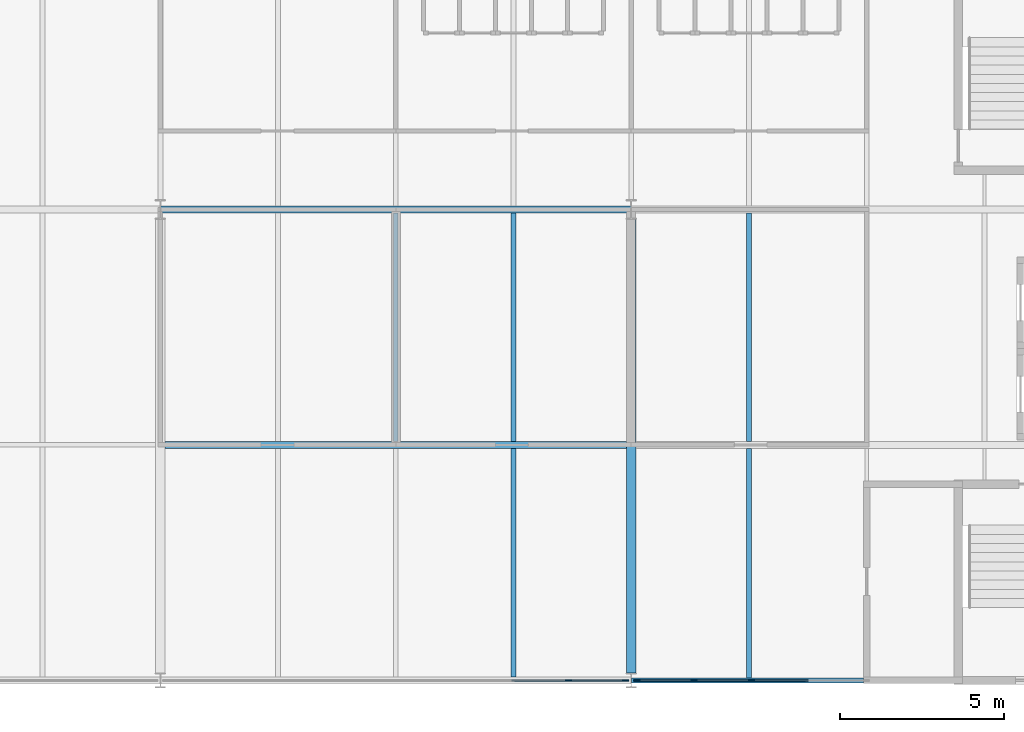
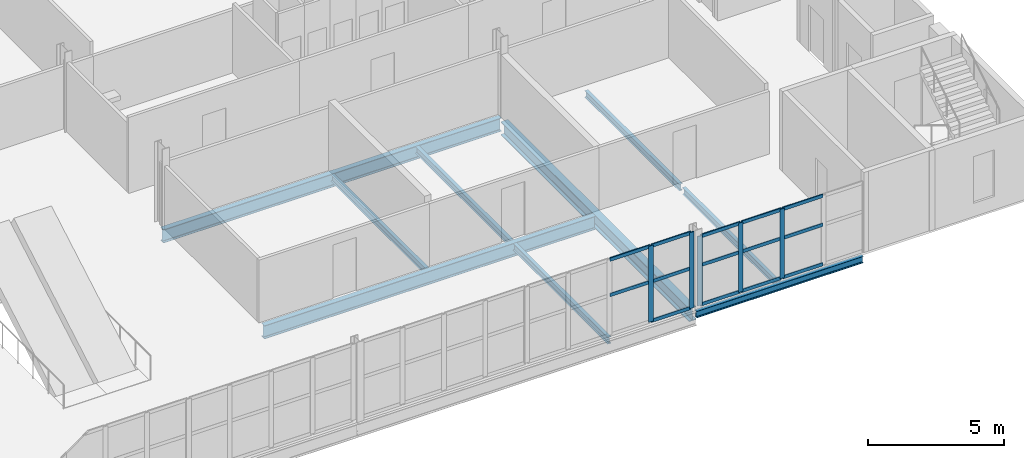
# One storey, part 31 of 124: 19 members, 9 beams, 2 elements without a shape of their own.
"""IFC4 building model written with IfcOpenShell, lengths in metres."""

from ifc_helpers import new_model, si_unit, direction, frame, origin, origin_2d, place, context, subcontext, project, spatial, rectangle, i_section, extrude, material, material_profile, profile_set, type_object, element, aggregate, save


model = new_model("IFC4")

# Units and contexts
model_context = context("Model", 3, precision=1e-05, world=origin(), true_north=direction((0.0, 1.0)))
body_context = subcontext(model_context, "Body", "Model", "MODEL_VIEW")
ifc_project = project(units=[si_unit("LENGTHUNIT", "METRE"), si_unit("AREAUNIT", "SQUARE_METRE"), si_unit("VOLUMEUNIT", "CUBIC_METRE"), si_unit("PLANEANGLEUNIT", "RADIAN"), si_unit("MASSUNIT", "GRAM", prefix="KILO")], contexts=[model_context])

# Site, building, storey
site_placement = place(None, origin())
site = spatial("IfcSite", under=ifc_project, at=site_placement, CompositionType="ELEMENT")
building_placement = place(site_placement, origin())
building = spatial("IfcBuilding", under=site, at=building_placement, Name="Kupolbacken Congress Centre", CompositionType="ELEMENT")
storey_placement = place(building_placement, frame((0.0, 0.0, 10.800048828125)))
storey = spatial("IfcBuildingStorey", under=building, at=storey_placement, Name="L03", CompositionType="ELEMENT", Elevation=10.800048828125)

# Beams
ifc_material_1 = material(Name="Steel S355", Category="steel")
ifc_material_profile_1 = material_profile(ifc_material_1, i_section(OverallWidth=0.14990234375, OverallDepth=0.300048828125, WebThickness=0.007080078125, FlangeThickness=0.0107421875, FilletRadius=0.014892578125, at=origin_2d()), Name="IPE 300")
ifc_profile_set_1 = profile_set([ifc_material_profile_1], Name="Steel S355")
beam_type_1 = type_object("IfcBeamType", Name="B04 beam IPE 300", PredefinedType="BEAM", material=ifc_profile_set_1)
beam_1_placement = place(storey_placement, frame((64.806884765625, 28.800048828125, -0.330078125), z_axis=(1.0, 0.0, 0.0), x_axis=(0.0, 1.0, 0.0)))
element("IfcBeam", 1, at=beam_1_placement, inside=storey, type_object=beam_type_1, Name="S/floor/F/L03/R019", PredefinedType="BEAM", context=body_context, shape_type="SweptSolid", body=[
    extrude(i_section(OverallWidth=0.14990234375, OverallDepth=0.300048828125, WebThickness=0.007080078125, FlangeThickness=0.0107421875, FilletRadius=0.014892578125, at=origin_2d()), origin(), (0.0, 0.0, 1.0), 7.093017578125),
])
for number, where, z_axis, x_axis, name in (
    (2, (57.60009765625, 36.110107421875, -0.330078125), (0.0, 1.0, 0.0), (-1.0, 0.0, 0.0), "S/floor/F/L03/S070"),
    (3, (61.199951171875, 28.909912109375, -0.330078125), (0.0, 1.0, 0.0), (-1.0, 0.0, 0.0), "S/floor/F/L03/S072"),
    (4, (61.199951171875, 36.110107421875, -0.330078125), (0.0, 1.0, 0.0), (-1.0, 0.0, 0.0), "S/floor/F/L03/S073"),
):
    element("IfcBeam", number, at=place(storey_placement, frame(where, z_axis=z_axis, x_axis=x_axis)), inside=storey, type_object=beam_type_1, Name=name, PredefinedType="BEAM", context=body_context, shape_type="SweptSolid", body=[
        extrude(i_section(OverallWidth=0.14990234375, OverallDepth=0.300048828125, WebThickness=0.007080078125, FlangeThickness=0.0107421875, FilletRadius=0.014892578125, at=origin_2d()), origin(), (0.0, 0.0, 1.0), 6.97998046875),
    ])
beam_2_placement = place(storey_placement, frame((68.39990234375, 28.875, -0.330078125), z_axis=(0.0, 1.0, 0.0), x_axis=(-1.0, 0.0, 0.0)))
element("IfcBeam", 5, at=beam_2_placement, inside=storey, type_object=beam_type_1, Name="S/floor/F/L03/S075", PredefinedType="BEAM", context=body_context, shape_type="SweptSolid", body=[
    extrude(i_section(OverallWidth=0.14990234375, OverallDepth=0.300048828125, WebThickness=0.007080078125, FlangeThickness=0.0107421875, FilletRadius=0.014892578125, at=origin_2d()), origin(), (0.0, 0.0, 1.0), 7.014892578125),
])
beam_3_placement = place(storey_placement, frame((68.39990234375, 36.110107421875, -0.330078125), z_axis=(0.0, 1.0, 0.0), x_axis=(-1.0, 0.0, 0.0)))
element("IfcBeam", 6, at=beam_3_placement, inside=storey, type_object=beam_type_1, Name="S/floor/F/L03/S076", PredefinedType="BEAM", context=body_context, shape_type="SweptSolid", body=[
    extrude(i_section(OverallWidth=0.14990234375, OverallDepth=0.300048828125, WebThickness=0.007080078125, FlangeThickness=0.0107421875, FilletRadius=0.014892578125, at=origin_2d()), origin(), (0.0, 0.0, 1.0), 6.97998046875),
])
ifc_material_2 = material(Name="Steel S355", Category="steel")
ifc_material_profile_2 = material_profile(ifc_material_2, i_section(OverallWidth=0.219970703125, OverallDepth=0.60009765625, WebThickness=0.011962890625, FlangeThickness=0.01904296875, FilletRadius=0.02392578125, at=origin_2d()), Name="IPE 600")
ifc_profile_set_2 = profile_set([ifc_material_profile_2], Name="Steel S355")
beam_type_2 = type_object("IfcBeamType", Name="B11 beam IPE 600", PredefinedType="BEAM", material=ifc_profile_set_2)
beam_4_placement = place(storey_placement, frame((50.40771484375, 43.199951171875, -0.47998046875), z_axis=(1.0, 0.0, 0.0), x_axis=(0.0, 1.0, 0.0)))
element("IfcBeam", 7, at=beam_4_placement, inside=storey, type_object=beam_type_2, Name="S/floor/F/L03/R023", PredefinedType="BEAM", context=body_context, shape_type="SweptSolid", body=[
    extrude(i_section(OverallWidth=0.219970703125, OverallDepth=0.60009765625, WebThickness=0.011962890625, FlangeThickness=0.01904296875, FilletRadius=0.02392578125, at=origin_2d()), origin(), (0.0, 0.0, 1.0), 14.384521484375),
])
beam_5_placement = place(storey_placement, frame((50.550048828125, 36.0, -0.47998046875), z_axis=(1.0, 0.0, 0.0), x_axis=(0.0, 1.0, 0.0)))
element("IfcBeam", 8, at=beam_5_placement, inside=storey, type_object=beam_type_2, Name="S/floor/F/L03/R038", PredefinedType="BEAM", context=body_context, shape_type="SweptSolid", body=[
    extrude(i_section(OverallWidth=0.219970703125, OverallDepth=0.60009765625, WebThickness=0.011962890625, FlangeThickness=0.01904296875, FilletRadius=0.02392578125, at=origin_2d()), origin(), (0.0, 0.0, 1.0), 14.099853515625),
])
ifc_material_3 = material(Name="Steel S355", Category="steel")
ifc_material_profile_3 = material_profile(ifc_material_3, i_section(OverallWidth=0.300048828125, OverallDepth=0.60009765625, WebThickness=0.015380859375, FlangeThickness=0.030029296875, FilletRadius=0.027099609375, at=origin_2d()), Name="HEB 600")
ifc_profile_set_3 = profile_set([ifc_material_profile_3], Name="Steel S355")
beam_type_3 = type_object("IfcBeamType", Name="B15 beam HEB 600", PredefinedType="BEAM", material=ifc_profile_set_3)
beam_6_placement = place(storey_placement, frame((64.800048828125, 29.02490234375, -0.47998046875), z_axis=(0.0, 1.0, 0.0), x_axis=(-1.0, 0.0, 0.0)))
element("IfcBeam", 9, at=beam_6_placement, inside=storey, type_object=beam_type_3, Name="S/floor/F/L03/G010", PredefinedType="BEAM", context=body_context, shape_type="SweptSolid", body=[
    extrude(i_section(OverallWidth=0.300048828125, OverallDepth=0.60009765625, WebThickness=0.015380859375, FlangeThickness=0.030029296875, FilletRadius=0.027099609375, at=origin_2d()), origin(), (0.0, 0.0, 1.0), 13.875),
])

# Curtain wall, members
ifc_material_4 = material(Name="Aluminium mullion-transom frame with glass", Category="aluminium")
curtain_wall_type = type_object("IfcCurtainWallType", Name="CW1 curtain wall 7200x3600", PredefinedType="NOTDEFINED", material=ifc_material_4)
curtain_wall_1_placement = place(storey_placement, origin())
curtain_wall_1 = element("IfcCurtainWall", 10, at=curtain_wall_1_placement, inside=storey, type_object=curtain_wall_type, Name="E/F/S/L03/334", PredefinedType="NOTDEFINED")
ifc_material_5 = material(Name="Aluminium alloy", Category="aluminium")
ifc_material_profile_4 = material_profile(ifc_material_5, rectangle(XDim=0.050048828125, YDim=0.199951171875, at=origin_2d()), Name="50 x 200")
ifc_profile_set_4 = profile_set([ifc_material_profile_4], Name="Aluminium alloy")
member_type_1 = type_object("IfcMemberType", Name="MU2 mullion 50x200", PredefinedType="MULLION", material=ifc_profile_set_4)
member_1_placement = place(storey_placement, frame((62.887451171875, 28.800048828125, 0.0), z_axis=(0.0, 0.0, 1.0), x_axis=(0.0, 1.0, 0.0)))
member_1 = element("IfcMember", 11, at=member_1_placement, type_object=member_type_1, Name="CW1 mullion 4", PredefinedType="MULLION", context=body_context, shape_type="SweptSolid", body=[
    extrude(rectangle(XDim=0.050048828125, YDim=0.199951171875, at=origin_2d()), origin(), (0.0, 0.0, 1.0), 3.419921875),
])
member_2_placement = place(storey_placement, frame((64.625, 28.800048828125, 0.0), z_axis=(0.0, 0.0, 1.0), x_axis=(0.0, 1.0, 0.0)))
member_2 = element("IfcMember", 12, at=member_2_placement, type_object=member_type_1, Name="CW1 mullion 5", PredefinedType="MULLION", context=body_context, shape_type="SweptSolid", body=[
    extrude(rectangle(XDim=0.050048828125, YDim=0.199951171875, at=origin_2d()), origin(), (0.0, 0.0, 1.0), 3.419921875),
])

curtain_wall_2_placement = place(storey_placement, origin())
curtain_wall_2 = element("IfcCurtainWall", 13, at=curtain_wall_2_placement, inside=storey, type_object=curtain_wall_type, Name="E/F/S/L03/335", PredefinedType="NOTDEFINED")
member_3_placement = place(storey_placement, frame((64.97509765625, 28.800048828125, 0.0), z_axis=(0.0, 0.0, 1.0), x_axis=(0.0, 1.0, 0.0)))
member_3 = element("IfcMember", 14, at=member_3_placement, type_object=member_type_1, Name="CW1 mullion 1", PredefinedType="MULLION", context=body_context, shape_type="SweptSolid", body=[
    extrude(rectangle(XDim=0.050048828125, YDim=0.199951171875, at=origin_2d()), origin(), (0.0, 0.0, 1.0), 3.119873046875),
])
member_4_placement = place(storey_placement, frame((66.71240234375, 28.800048828125, 0.0), z_axis=(0.0, 0.0, 1.0), x_axis=(0.0, 1.0, 0.0)))
member_4 = element("IfcMember", 15, at=member_4_placement, type_object=member_type_1, Name="CW1 mullion 2", PredefinedType="MULLION", context=body_context, shape_type="SweptSolid", body=[
    extrude(rectangle(XDim=0.050048828125, YDim=0.199951171875, at=origin_2d()), origin(), (0.0, 0.0, 1.0), 3.119873046875),
])
member_5_placement = place(storey_placement, frame((68.47509765625, 28.800048828125, 0.0), z_axis=(0.0, 0.0, 1.0), x_axis=(0.0, 1.0, 0.0)))
member_5 = element("IfcMember", 16, at=member_5_placement, type_object=member_type_1, Name="CW1 mullion 3", PredefinedType="MULLION", context=body_context, shape_type="SweptSolid", body=[
    extrude(rectangle(XDim=0.050048828125, YDim=0.199951171875, at=origin_2d()), origin(), (0.0, 0.0, 1.0), 3.119873046875),
])

# Member
ifc_material_6 = material(Name="Aluminium alloy", Category="aluminium")
ifc_material_profile_5 = material_profile(ifc_material_6, rectangle(XDim=0.050048828125, YDim=0.14990234375, at=origin_2d()), Name="50 x 150")
ifc_profile_set_5 = profile_set([ifc_material_profile_5], Name="Aluminium alloy")
member_type_2 = type_object("IfcMemberType", Name="TR2 transom 50x150", PredefinedType="MULLION", material=ifc_profile_set_5)
member_6_placement = place(storey_placement, frame((61.14990234375, 28.800048828125, 1.800048828125), z_axis=(1.0, 0.0, 0.0), x_axis=(0.0, 1.0, 0.0)))
member_6 = element("IfcMember", 17, at=member_6_placement, type_object=member_type_2, Name="CW1 transom 3.2", PredefinedType="MULLION", context=body_context, shape_type="SweptSolid", body=[
    extrude(rectangle(XDim=0.050048828125, YDim=0.14990234375, at=origin_2d()), origin(), (0.0, 0.0, 1.0), 1.712646484375),
])

member_7_placement = place(storey_placement, frame((61.14990234375, 28.800048828125, 3.39501953125), z_axis=(1.0, 0.0, 0.0), x_axis=(0.0, 1.0, 0.0)))
member_7 = element("IfcMember", 18, at=member_7_placement, type_object=member_type_2, Name="CW1 transom 3.3", PredefinedType="MULLION", context=body_context, shape_type="SweptSolid", body=[
    extrude(rectangle(XDim=0.050048828125, YDim=0.14990234375, at=origin_2d()), origin(), (0.0, 0.0, 1.0), 1.712646484375),
])

member_8_placement = place(storey_placement, frame((62.91259765625, 28.800048828125, 0.02490234375), z_axis=(1.0, 0.0, 0.0), x_axis=(0.0, 1.0, 0.0)))
member_8 = element("IfcMember", 19, at=member_8_placement, type_object=member_type_2, Name="CW1 transom 4.1", PredefinedType="MULLION", context=body_context, shape_type="SweptSolid", body=[
    extrude(rectangle(XDim=0.050048828125, YDim=0.14990234375, at=origin_2d()), origin(), (0.0, 0.0, 1.0), 1.6875),
])

member_9_placement = place(storey_placement, frame((62.91259765625, 28.800048828125, 1.800048828125), z_axis=(1.0, 0.0, 0.0), x_axis=(0.0, 1.0, 0.0)))
member_9 = element("IfcMember", 20, at=member_9_placement, type_object=member_type_2, Name="CW1 transom 4.2", PredefinedType="MULLION", context=body_context, shape_type="SweptSolid", body=[
    extrude(rectangle(XDim=0.050048828125, YDim=0.14990234375, at=origin_2d()), origin(), (0.0, 0.0, 1.0), 1.6875),
])

member_10_placement = place(storey_placement, frame((62.91259765625, 28.800048828125, 3.39501953125), z_axis=(1.0, 0.0, 0.0), x_axis=(0.0, 1.0, 0.0)))
member_10 = element("IfcMember", 21, at=member_10_placement, type_object=member_type_2, Name="CW1 transom 4.3", PredefinedType="MULLION", context=body_context, shape_type="SweptSolid", body=[
    extrude(rectangle(XDim=0.050048828125, YDim=0.14990234375, at=origin_2d()), origin(), (0.0, 0.0, 1.0), 1.6875),
])

aggregate(curtain_wall_1, [member_1, member_2, member_6, member_7, member_8, member_9, member_10])

member_11_placement = place(storey_placement, frame((65.0, 28.800048828125, 0.02490234375), z_axis=(1.0, 0.0, 0.0), x_axis=(0.0, 1.0, 0.0)))
member_11 = element("IfcMember", 22, at=member_11_placement, type_object=member_type_2, Name="CW1 transom 1.1", PredefinedType="MULLION", context=body_context, shape_type="SweptSolid", body=[
    extrude(rectangle(XDim=0.050048828125, YDim=0.14990234375, at=origin_2d()), origin(), (0.0, 0.0, 1.0), 1.6875),
])

member_12_placement = place(storey_placement, frame((65.0, 28.800048828125, 1.800048828125), z_axis=(1.0, 0.0, 0.0), x_axis=(0.0, 1.0, 0.0)))
member_12 = element("IfcMember", 23, at=member_12_placement, type_object=member_type_2, Name="CW1 transom 1.2", PredefinedType="MULLION", context=body_context, shape_type="SweptSolid", body=[
    extrude(rectangle(XDim=0.050048828125, YDim=0.14990234375, at=origin_2d()), origin(), (0.0, 0.0, 1.0), 1.6875),
])

member_13_placement = place(storey_placement, frame((65.0, 28.800048828125, 3.094970703125), z_axis=(1.0, 0.0, 0.0), x_axis=(0.0, 1.0, 0.0)))
member_13 = element("IfcMember", 24, at=member_13_placement, type_object=member_type_2, Name="CW1 transom 1.3", PredefinedType="MULLION", context=body_context, shape_type="SweptSolid", body=[
    extrude(rectangle(XDim=0.050048828125, YDim=0.14990234375, at=origin_2d()), origin(), (0.0, 0.0, 1.0), 1.6875),
])

member_14_placement = place(storey_placement, frame((66.737548828125, 28.800048828125, 0.02490234375), z_axis=(1.0, 0.0, 0.0), x_axis=(0.0, 1.0, 0.0)))
member_14 = element("IfcMember", 25, at=member_14_placement, type_object=member_type_2, Name="CW1 transom 2.1", PredefinedType="MULLION", context=body_context, shape_type="SweptSolid", body=[
    extrude(rectangle(XDim=0.050048828125, YDim=0.14990234375, at=origin_2d()), origin(), (0.0, 0.0, 1.0), 1.71240234375),
])

member_15_placement = place(storey_placement, frame((66.737548828125, 28.800048828125, 1.800048828125), z_axis=(1.0, 0.0, 0.0), x_axis=(0.0, 1.0, 0.0)))
member_15 = element("IfcMember", 26, at=member_15_placement, type_object=member_type_2, Name="CW1 transom 2.2", PredefinedType="MULLION", context=body_context, shape_type="SweptSolid", body=[
    extrude(rectangle(XDim=0.050048828125, YDim=0.14990234375, at=origin_2d()), origin(), (0.0, 0.0, 1.0), 1.71240234375),
])

member_16_placement = place(storey_placement, frame((66.737548828125, 28.800048828125, 3.094970703125), z_axis=(1.0, 0.0, 0.0), x_axis=(0.0, 1.0, 0.0)))
member_16 = element("IfcMember", 27, at=member_16_placement, type_object=member_type_2, Name="CW1 transom 2.3", PredefinedType="MULLION", context=body_context, shape_type="SweptSolid", body=[
    extrude(rectangle(XDim=0.050048828125, YDim=0.14990234375, at=origin_2d()), origin(), (0.0, 0.0, 1.0), 1.71240234375),
])

member_17_placement = place(storey_placement, frame((68.5, 28.800048828125, 0.02490234375), z_axis=(1.0, 0.0, 0.0), x_axis=(0.0, 1.0, 0.0)))
member_17 = element("IfcMember", 28, at=member_17_placement, type_object=member_type_2, Name="CW1 transom 3.1", PredefinedType="MULLION", context=body_context, shape_type="SweptSolid", body=[
    extrude(rectangle(XDim=0.050048828125, YDim=0.14990234375, at=origin_2d()), origin(), (0.0, 0.0, 1.0), 1.71240234375),
])

member_18_placement = place(storey_placement, frame((68.5, 28.800048828125, 1.800048828125), z_axis=(1.0, 0.0, 0.0), x_axis=(0.0, 1.0, 0.0)))
member_18 = element("IfcMember", 29, at=member_18_placement, type_object=member_type_2, Name="CW1 transom 3.2", PredefinedType="MULLION", context=body_context, shape_type="SweptSolid", body=[
    extrude(rectangle(XDim=0.050048828125, YDim=0.14990234375, at=origin_2d()), origin(), (0.0, 0.0, 1.0), 1.71240234375),
])

member_19_placement = place(storey_placement, frame((68.5, 28.800048828125, 3.094970703125), z_axis=(1.0, 0.0, 0.0), x_axis=(0.0, 1.0, 0.0)))
member_19 = element("IfcMember", 30, at=member_19_placement, type_object=member_type_2, Name="CW1 transom 3.3", PredefinedType="MULLION", context=body_context, shape_type="SweptSolid", body=[
    extrude(rectangle(XDim=0.050048828125, YDim=0.14990234375, at=origin_2d()), origin(), (0.0, 0.0, 1.0), 1.71240234375),
])

aggregate(curtain_wall_2, [member_3, member_4, member_5, member_11, member_12, member_13, member_14, member_15, member_16, member_17, member_18, member_19])

save(model, "model.ifc")
